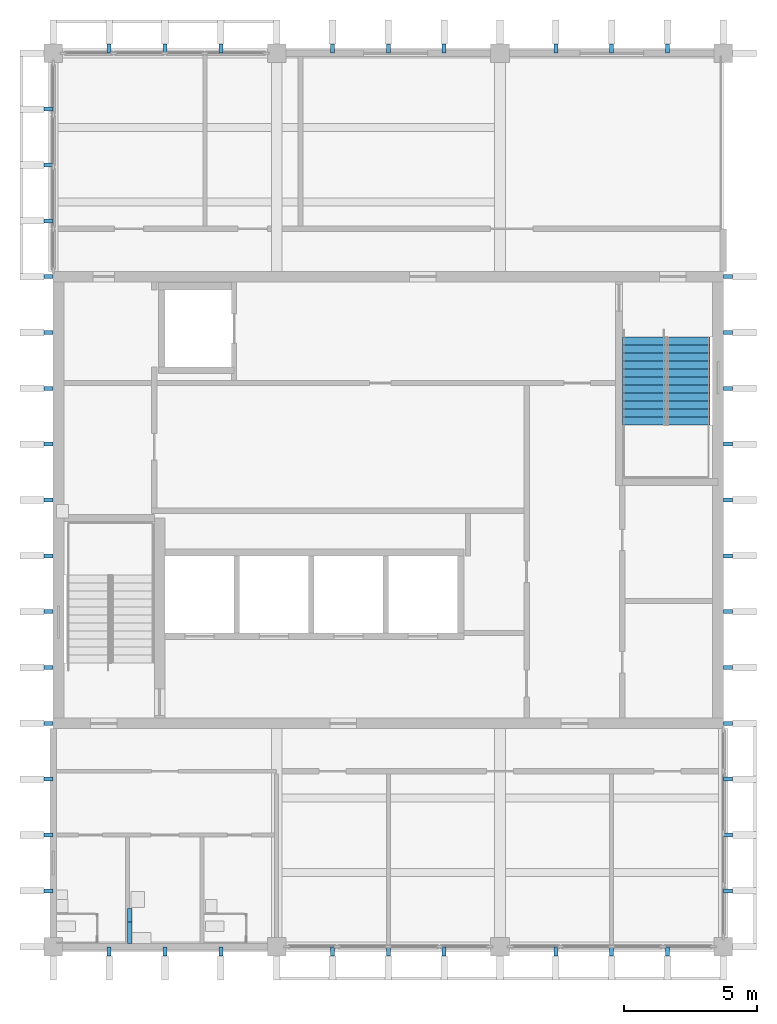
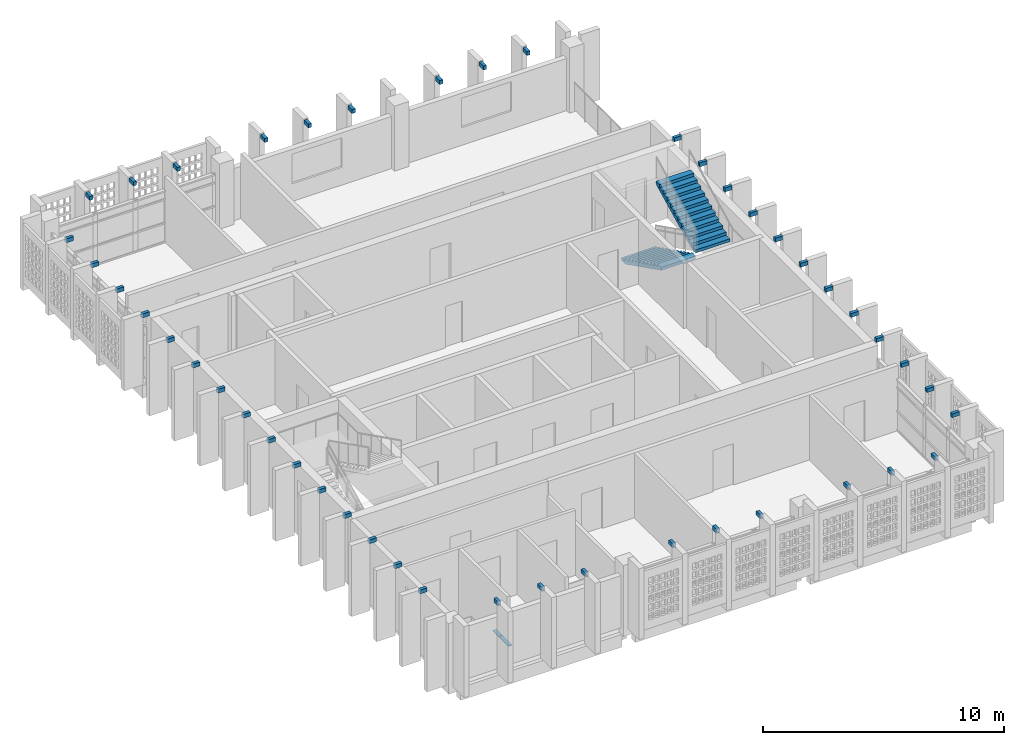
# One storey, part 6 of 13: 47 discrete accessories, 2 stair flights, 1 element without a shape of its own.
"""IFC4 building model written with IfcOpenShell, lengths in metres."""

from ifc_helpers import new_model, si_unit, direction, frame, origin, origin_2d, place, context, subcontext, project, spatial, polyline, rectangle, outline, extrude, material, type_object, element, aggregate, save


model = new_model("IFC4")

# Units and contexts
model_context = context("Model", 3, precision=1e-05, world=origin(), true_north=direction((0.0, 1.0)))
body_context = subcontext(model_context, "Body", "Model", "MODEL_VIEW")
ifc_project = project(units=[si_unit("LENGTHUNIT", "METRE"), si_unit("AREAUNIT", "SQUARE_METRE"), si_unit("VOLUMEUNIT", "CUBIC_METRE"), si_unit("PLANEANGLEUNIT", "RADIAN"), si_unit("MASSUNIT", "GRAM", prefix="KILO")], contexts=[model_context])

# Site, building, storey
site_placement = place(None, origin())
site = spatial("IfcSite", under=ifc_project, at=site_placement, CompositionType="ELEMENT")
building_placement = place(site_placement, origin())
building = spatial("IfcBuilding", under=site, at=building_placement, Name="Rulbaag Community and Learning Centre", CompositionType="ELEMENT")
storey_placement = place(building_placement, frame((0.0, 0.0, 54.0)))
storey = spatial("IfcBuildingStorey", under=building, at=storey_placement, Name="L14", CompositionType="ELEMENT", Elevation=54.0)

# Stair, stair flights
ifc_material_1 = material(Name="Concrete M40", Category="concrete")
stair_type = type_object("IfcStairType", Name="ST-1650 STAIR 1650 WIDE", PredefinedType="HALF_TURN_STAIR", material=ifc_material_1)
stair_placement = place(storey_placement, origin())
stair = element("IfcStair", 1, at=stair_placement, inside=storey, type_object=stair_type, Name="Stair ST2 L14", PredefinedType="HALF_TURN_STAIR")
stair_flight_type = type_object("IfcStairFlightType", Name="FL-1650 FLIGHT 1650 WIDE Concrete M40", PredefinedType="STRAIGHT", material=ifc_material_1)
stair_flight_1_placement = place(storey_placement, frame((165.02490234375, 106.925048828125, 0.0), z_axis=(0.0, 0.0, 1.0), x_axis=(0.0, -1.0, 0.0)))
stair_flight_1 = element("IfcStairFlight", 2, at=stair_flight_1_placement, type_object=stair_flight_type, Name="ST2 flight 1", NumberOfRisers=12, NumberOfTreads=11, PredefinedType="STRAIGHT", RiserHeight=0.15, TreadLength=0.3, context=body_context, shape_type="SweptSolid", body=[
    extrude(outline(polyline([(0.0, 0.0), (0.0, 0.14990234375), (0.300048828125, 0.14990234375), (0.300048828125, 0.300048828125), (0.60009765625, 0.300048828125), (0.60009765625, 0.449951171875), (0.89990234375, 0.449951171875), (0.89990234375, 0.60009765625), (1.199951171875, 0.60009765625), (1.199951171875, 0.75), (1.5, 0.75), (1.5, 0.89990234375), (1.800048828125, 0.89990234375), (1.800048828125, 1.050048828125), (2.10009765625, 1.050048828125), (2.10009765625, 1.199951171875), (2.39990234375, 1.199951171875), (2.39990234375, 1.35009765625), (2.699951171875, 1.35009765625), (2.699951171875, 1.5), (3.0, 1.5), (3.0, 1.64990234375), (3.300048828125, 1.64990234375), (3.300048828125, 1.49365234375), (0.312744140625, 0.0), (0.0, 0.0)])), frame((0.0, 0.824951171875, 0.0), z_axis=(0.0, -1.0, 0.0), x_axis=(1.0, 0.0, 0.0)), (0.0, 0.0, 1.0), 1.64990234375),
])
stair_flight_2_placement = place(storey_placement, frame((166.675048828125, 103.625, 1.800048828125), z_axis=(0.0, 0.0, 1.0), x_axis=(0.0, 1.0, 0.0)))
stair_flight_2 = element("IfcStairFlight", 3, at=stair_flight_2_placement, type_object=stair_flight_type, Name="ST2 flight 2", NumberOfRisers=12, NumberOfTreads=11, PredefinedType="STRAIGHT", RiserHeight=0.15, TreadLength=0.3, context=body_context, shape_type="SweptSolid", body=[
    extrude(outline(polyline([(0.0, 0.0), (0.0, 0.14990234375), (0.300048828125, 0.14990234375), (0.300048828125, 0.300048828125), (0.60009765625, 0.300048828125), (0.60009765625, 0.449951171875), (0.89990234375, 0.449951171875), (0.89990234375, 0.60009765625), (1.199951171875, 0.60009765625), (1.199951171875, 0.75), (1.5, 0.75), (1.5, 0.89990234375), (1.800048828125, 0.89990234375), (1.800048828125, 1.050048828125), (2.10009765625, 1.050048828125), (2.10009765625, 1.199951171875), (2.39990234375, 1.199951171875), (2.39990234375, 1.35009765625), (2.699951171875, 1.35009765625), (2.699951171875, 1.5), (3.0, 1.5), (3.0, 1.64990234375), (3.300048828125, 1.64990234375), (3.300048828125, 1.49365234375), (0.312744140625, 0.0), (0.0, 0.0)])), frame((0.0, 0.824951171875, 0.0), z_axis=(0.0, -1.0, 0.0), x_axis=(1.0, 0.0, 0.0)), (0.0, 0.0, 1.0), 1.64990234375),
])
aggregate(stair, [stair_flight_1, stair_flight_2])

# Discrete accessories
ifc_material_2 = material(Name="Steel E350", Category="steel")
discrete_accessory_type_1 = type_object("IfcDiscreteAccessoryType", Name="BR-FN", PredefinedType="BRACKET", material=ifc_material_2)
for number, where, z_axis, x_axis, name in (
    (4, (144.89990234375, 83.824951171875, 3.35009765625), (0.0, 0.0, 1.0), (1.0, 0.0, 0.0), "Fin arm"),
    (5, (147.0, 83.824951171875, 3.35009765625), (0.0, 0.0, 1.0), (1.0, 0.0, 0.0), "Fin arm"),
    (6, (149.10009765625, 83.824951171875, 3.35009765625), (0.0, 0.0, 1.0), (1.0, 0.0, 0.0), "Fin arm"),
    (7, (153.300048828125, 83.824951171875, 3.35009765625), (0.0, 0.0, 1.0), (1.0, 0.0, 0.0), "Fin arm"),
    (8, (155.39990234375, 83.824951171875, 3.35009765625), (0.0, 0.0, 1.0), (1.0, 0.0, 0.0), "Fin arm"),
    (9, (157.5, 83.824951171875, 3.35009765625), (0.0, 0.0, 1.0), (1.0, 0.0, 0.0), "Fin arm"),
    (10, (161.699951171875, 83.824951171875, 3.35009765625), (0.0, 0.0, 1.0), (1.0, 0.0, 0.0), "Fin arm"),
    (11, (163.800048828125, 83.824951171875, 3.35009765625), (0.0, 0.0, 1.0), (1.0, 0.0, 0.0), "Fin arm"),
    (12, (165.89990234375, 83.824951171875, 3.35009765625), (0.0, 0.0, 1.0), (1.0, 0.0, 0.0), "Fin arm"),
    (13, (144.89990234375, 117.77490234375, 3.35009765625), (0.0, 0.0, 1.0), (1.0, 0.0, 0.0), "Fin arm"),
    (14, (147.0, 117.77490234375, 3.35009765625), (0.0, 0.0, 1.0), (1.0, 0.0, 0.0), "Fin arm"),
    (15, (149.10009765625, 117.77490234375, 3.35009765625), (0.0, 0.0, 1.0), (1.0, 0.0, 0.0), "Fin arm"),
    (16, (153.300048828125, 117.77490234375, 3.35009765625), (0.0, 0.0, 1.0), (1.0, 0.0, 0.0), "Fin arm"),
    (17, (155.39990234375, 117.77490234375, 3.35009765625), (0.0, 0.0, 1.0), (1.0, 0.0, 0.0), "Fin arm"),
    (18, (157.5, 117.77490234375, 3.35009765625), (0.0, 0.0, 1.0), (1.0, 0.0, 0.0), "Fin arm"),
    (19, (161.699951171875, 117.77490234375, 3.35009765625), (0.0, 0.0, 1.0), (1.0, 0.0, 0.0), "Fin arm"),
    (20, (163.800048828125, 117.77490234375, 3.35009765625), (0.0, 0.0, 1.0), (1.0, 0.0, 0.0), "Fin arm"),
    (21, (165.89990234375, 117.77490234375, 3.35009765625), (0.0, 0.0, 1.0), (1.0, 0.0, 0.0), "Fin arm"),
):
    element("IfcDiscreteAccessory", number, at=place(storey_placement, frame(where, z_axis=z_axis, x_axis=x_axis)), inside=storey, type_object=discrete_accessory_type_1, Name=name, PredefinedType="BRACKET", context=body_context, shape_type="SweptSolid", body=[
        extrude(rectangle(XDim=0.14990234375, YDim=0.35009765625, at=origin_2d()), origin(), (0.0, 0.0, 1.0), 0.199951171875),
    ])
for number, where, z_axis, x_axis, name in (
    (22, (142.625, 86.10009765625, 3.35009765625), (0.0, 0.0, 1.0), (1.0, 0.0, 0.0), "Fin arm"),
    (23, (142.625, 88.199951171875, 3.35009765625), (0.0, 0.0, 1.0), (1.0, 0.0, 0.0), "Fin arm"),
    (24, (142.625, 90.300048828125, 3.35009765625), (0.0, 0.0, 1.0), (1.0, 0.0, 0.0), "Fin arm"),
    (25, (142.625, 92.39990234375, 3.35009765625), (0.0, 0.0, 1.0), (1.0, 0.0, 0.0), "Fin arm"),
    (26, (142.625, 94.5, 3.35009765625), (0.0, 0.0, 1.0), (1.0, 0.0, 0.0), "Fin arm"),
    (27, (142.625, 96.60009765625, 3.35009765625), (0.0, 0.0, 1.0), (1.0, 0.0, 0.0), "Fin arm"),
    (28, (142.625, 98.699951171875, 3.35009765625), (0.0, 0.0, 1.0), (1.0, 0.0, 0.0), "Fin arm"),
    (29, (142.625, 100.800048828125, 3.35009765625), (0.0, 0.0, 1.0), (1.0, 0.0, 0.0), "Fin arm"),
    (30, (142.625, 102.89990234375, 3.35009765625), (0.0, 0.0, 1.0), (1.0, 0.0, 0.0), "Fin arm"),
    (31, (142.625, 105.0, 3.35009765625), (0.0, 0.0, 1.0), (1.0, 0.0, 0.0), "Fin arm"),
    (32, (142.625, 107.10009765625, 3.35009765625), (0.0, 0.0, 1.0), (1.0, 0.0, 0.0), "Fin arm"),
    (33, (142.625, 109.199951171875, 3.35009765625), (0.0, 0.0, 1.0), (1.0, 0.0, 0.0), "Fin arm"),
    (34, (142.625, 111.300048828125, 3.35009765625), (0.0, 0.0, 1.0), (1.0, 0.0, 0.0), "Fin arm"),
    (35, (142.625, 113.39990234375, 3.35009765625), (0.0, 0.0, 1.0), (1.0, 0.0, 0.0), "Fin arm"),
    (36, (142.625, 115.5, 3.35009765625), (0.0, 0.0, 1.0), (1.0, 0.0, 0.0), "Fin arm"),
    (37, (168.175048828125, 86.10009765625, 3.35009765625), (0.0, 0.0, 1.0), (1.0, 0.0, 0.0), "Fin arm"),
    (38, (168.175048828125, 88.199951171875, 3.35009765625), (0.0, 0.0, 1.0), (1.0, 0.0, 0.0), "Fin arm"),
    (39, (168.175048828125, 90.300048828125, 3.35009765625), (0.0, 0.0, 1.0), (1.0, 0.0, 0.0), "Fin arm"),
    (40, (168.175048828125, 92.39990234375, 3.35009765625), (0.0, 0.0, 1.0), (1.0, 0.0, 0.0), "Fin arm"),
    (41, (168.175048828125, 94.5, 3.35009765625), (0.0, 0.0, 1.0), (1.0, 0.0, 0.0), "Fin arm"),
    (42, (168.175048828125, 96.60009765625, 3.35009765625), (0.0, 0.0, 1.0), (1.0, 0.0, 0.0), "Fin arm"),
    (43, (168.175048828125, 98.699951171875, 3.35009765625), (0.0, 0.0, 1.0), (1.0, 0.0, 0.0), "Fin arm"),
    (44, (168.175048828125, 100.800048828125, 3.35009765625), (0.0, 0.0, 1.0), (1.0, 0.0, 0.0), "Fin arm"),
    (45, (168.175048828125, 102.89990234375, 3.35009765625), (0.0, 0.0, 1.0), (1.0, 0.0, 0.0), "Fin arm"),
    (46, (168.175048828125, 105.0, 3.35009765625), (0.0, 0.0, 1.0), (1.0, 0.0, 0.0), "Fin arm"),
    (47, (168.175048828125, 107.10009765625, 3.35009765625), (0.0, 0.0, 1.0), (1.0, 0.0, 0.0), "Fin arm"),
    (48, (168.175048828125, 109.199951171875, 3.35009765625), (0.0, 0.0, 1.0), (1.0, 0.0, 0.0), "Fin arm"),
):
    element("IfcDiscreteAccessory", number, at=place(storey_placement, frame(where, z_axis=z_axis, x_axis=x_axis)), inside=storey, type_object=discrete_accessory_type_1, Name=name, PredefinedType="BRACKET", context=body_context, shape_type="SweptSolid", body=[
        extrude(rectangle(XDim=0.35009765625, YDim=0.14990234375, at=origin_2d()), origin(), (0.0, 0.0, 1.0), 0.199951171875),
    ])
ifc_material_3 = material(Name="Stainless steel grade 316", Category="steel")
discrete_accessory_type_2 = type_object("IfcDiscreteAccessoryType", Name="GR-800", PredefinedType="USERDEFINED", material=ifc_material_3)
for number, where, z_axis, x_axis, name in (
    (49, (145.68505859375, 84.530029296875, 0.72998046875), (0.0, 0.0, 1.0), (1.0, 0.0, 0.0), "Grab rail"),
    (50, (145.68505859375, 85.030029296875, 0.72998046875), (0.0, 0.0, 1.0), (1.0, 0.0, 0.0), "Grab rail"),
):
    element("IfcDiscreteAccessory", number, at=place(storey_placement, frame(where, z_axis=z_axis, x_axis=x_axis)), inside=storey, type_object=discrete_accessory_type_2, Name=name, ObjectType="GRAB RAIL", PredefinedType="USERDEFINED", context=body_context, shape_type="SweptSolid", body=[
        extrude(rectangle(XDim=0.169921875, YDim=0.800048828125, at=origin_2d()), origin(), (0.0, 0.0, 1.0), 0.0400390625),
    ])

save(model, "model.ifc")
